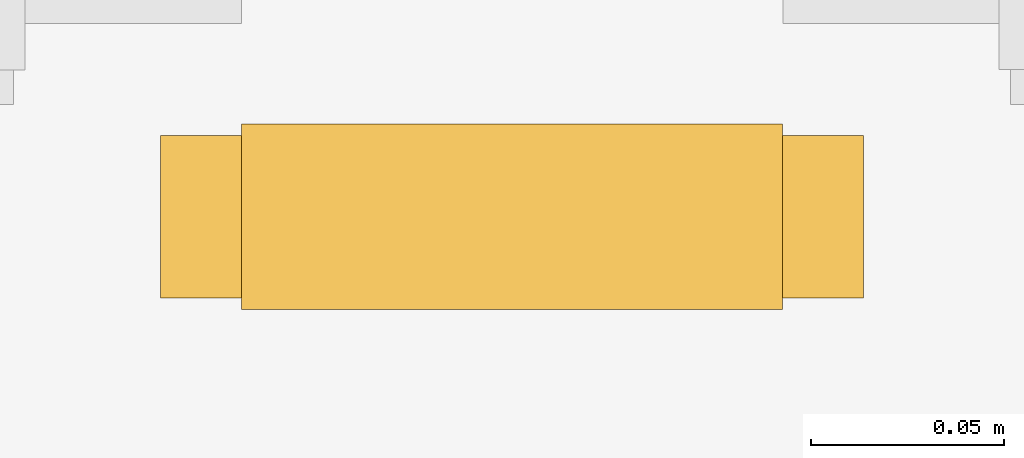
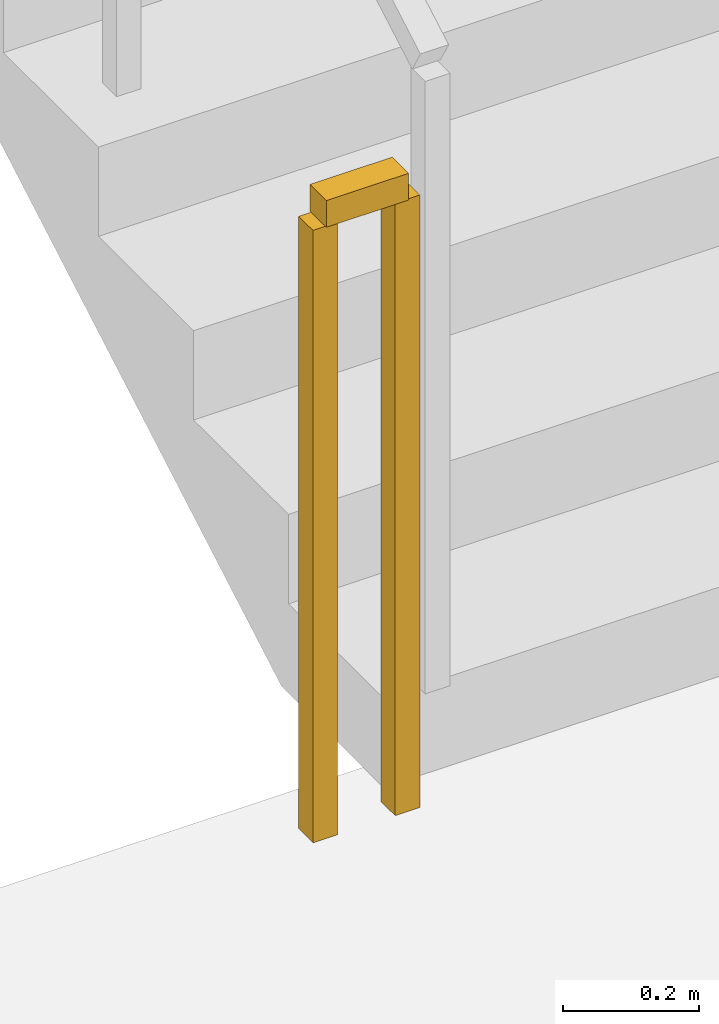
# One storey, part 22 of 27: 1 railing.
"""IFC4 building model written with IfcOpenShell, lengths in metres."""

from ifc_helpers import new_model, si_unit, direction, frame, origin, origin_2d, place, context, subcontext, project, spatial, rectangle, extrude, material, type_object, element, save


model = new_model("IFC4")

# Units and contexts
model_context = context("Model", 3, precision=1e-05, world=origin(), true_north=direction((0.0, 1.0)))
body_context = subcontext(model_context, "Body", "Model", "MODEL_VIEW")
ifc_project = project(units=[si_unit("LENGTHUNIT", "METRE"), si_unit("AREAUNIT", "SQUARE_METRE"), si_unit("VOLUMEUNIT", "CUBIC_METRE"), si_unit("PLANEANGLEUNIT", "RADIAN"), si_unit("MASSUNIT", "GRAM", prefix="KILO")], contexts=[model_context])

# Site, building, storey
site_placement = place(None, origin())
site = spatial("IfcSite", under=ifc_project, at=site_placement, CompositionType="ELEMENT")
building_placement = place(site_placement, origin())
building = spatial("IfcBuilding", under=site, at=building_placement, Name="Liaohun Quay Tower", CompositionType="ELEMENT")
storey_placement = place(building_placement, frame((0.0, 0.0, 185.25)))
storey = spatial("IfcBuildingStorey", under=building, at=storey_placement, Name="L48", CompositionType="ELEMENT", Elevation=185.25)

# Railing
ifc_material = material(Name="Painted tubular steel", Category="steel")
railing_type = type_object("IfcRailingType", Name="RLG-GUARD-STR", PredefinedType="GUARDRAIL", material=ifc_material)
railing_placement = place(storey_placement, frame((71.409912109375, 48.300048828125, 0.0)))
element("IfcRailing", 1, at=railing_placement, inside=storey, type_object=railing_type, Name="L48 ST-2 stair guard 4", PredefinedType="GUARDRAIL", context=body_context, shape_type="SweptSolid", body=[
    extrude(rectangle(XDim=0.048095703125, YDim=0.048095703125, at=origin_2d()), frame((0.0, 0.0, 1.1259765625), z_axis=(-1.0, 0.0, 0.0), x_axis=(0.0, -1.0, 0.0)), (0.0, 0.0, 1.0), 0.139892578125),
    extrude(rectangle(XDim=0.0419921875, YDim=0.0419921875, at=origin_2d()), origin(), (0.0, 0.0, 1.0), 1.101806640625),
    extrude(rectangle(XDim=0.0419921875, YDim=0.0419921875, at=origin_2d()), frame((-0.139892578125, 0.0, 0.0)), (0.0, 0.0, 1.0), 1.101806640625),
])

save(model, "model.ifc")
